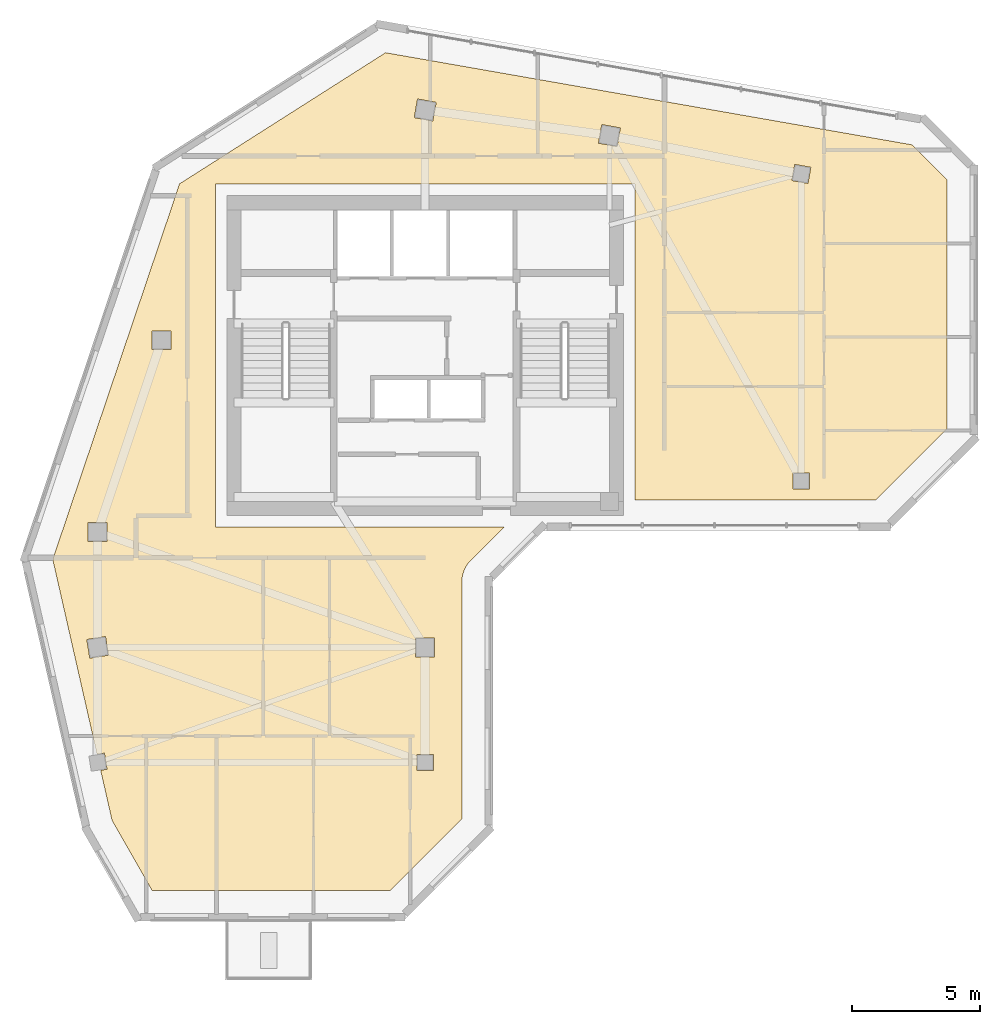
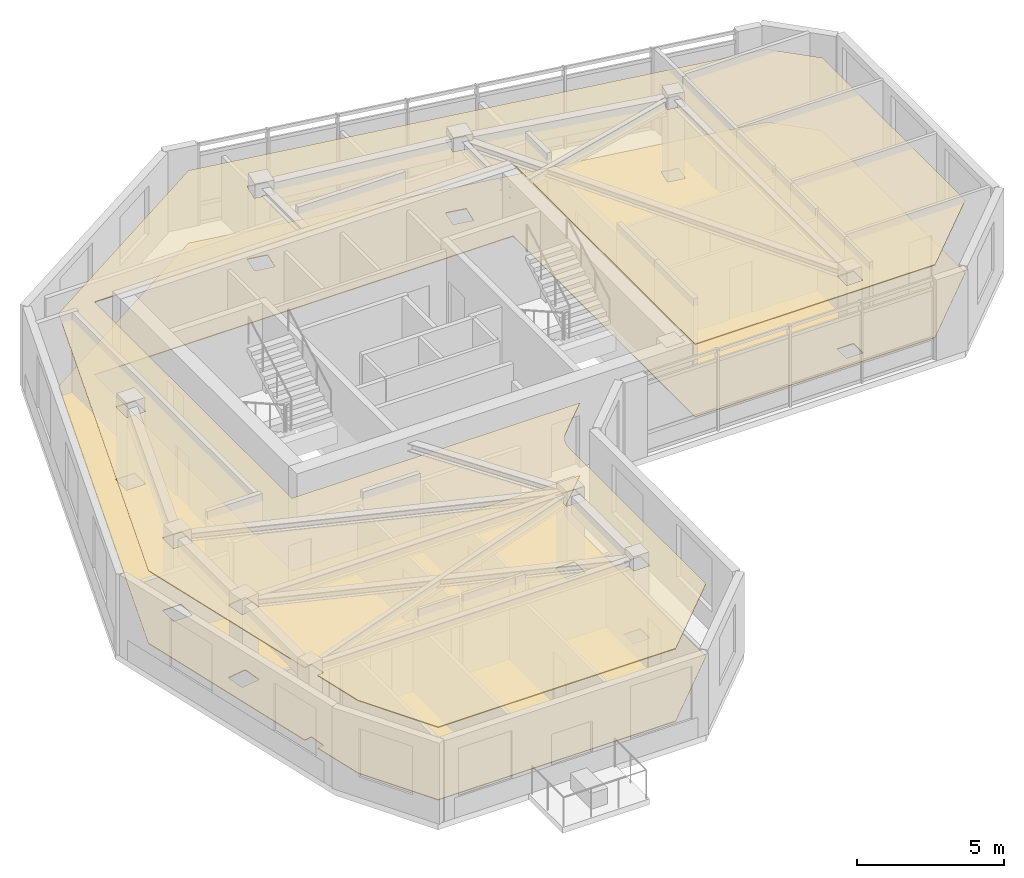
# One storey, part 9 of 10: 2 coverings.
"""IFC4 building model written with IfcOpenShell, lengths in metres."""

from ifc_helpers import new_model, si_unit, direction, frame, origin, place, context, subcontext, project, spatial, polyline, outline, extrude, material, layer, layer_set, type_object, element, save


model = new_model("IFC4")

# Units and contexts
model_context = context("Model", 3, precision=1e-05, world=origin(), true_north=direction((0.0, 1.0)))
body_context = subcontext(model_context, "Body", "Model", "MODEL_VIEW")
ifc_project = project(units=[si_unit("LENGTHUNIT", "METRE"), si_unit("AREAUNIT", "SQUARE_METRE"), si_unit("VOLUMEUNIT", "CUBIC_METRE"), si_unit("PLANEANGLEUNIT", "RADIAN"), si_unit("MASSUNIT", "GRAM", prefix="KILO")], contexts=[model_context])

# Site, building, storey
site_placement = place(None, origin())
site = spatial("IfcSite", under=ifc_project, at=site_placement, CompositionType="ELEMENT")
building_placement = place(site_placement, origin())
building = spatial("IfcBuilding", under=site, at=building_placement, Name="Calvemar Wedge Station Tower", CompositionType="ELEMENT")
storey_placement = place(building_placement, frame((0.0, 0.0, 252.89990234375)))
storey = spatial("IfcBuildingStorey", under=building, at=storey_placement, Name="L64", CompositionType="ELEMENT", Elevation=252.89990234375)

# Coverings
ifc_material_1 = material(Name="Moisture-resistant gypsum ceiling")
ifc_layer_1 = layer(ifc_material_1, 0.0400390625)
ifc_layer_set_1 = layer_set([ifc_layer_1], Name="Moisture-resistant gypsum ceiling")
covering_type_1 = type_object("IfcCoveringType", Name="COV-CEIL-GYPSUM", PredefinedType="CEILING", material=ifc_layer_set_1)
covering_1_placement = place(storey_placement, frame((0.0, 0.0, 3.0)))
element("IfcCovering", 1, at=covering_1_placement, inside=storey, type_object=covering_type_1, Name="Storey L64 Acoustic Suspended Ceiling", PredefinedType="CEILING", context=body_context, shape_type="SweptSolid", body=[
    extrude(outline(polyline([(15.60009765625, 33.199951171875), (15.60009765625, 46.60009765625), (32.0, 46.60009765625), (32.0, 34.256103515625), (41.40283203125, 34.256103515625), (44.199951171875, 37.052978515625), (44.199951171875, 46.7587890625), (42.819580078125, 48.139404296875), (22.251708984375, 51.73779296875), (14.201416015625, 46.614990234375), (9.2451171875, 31.936279296875), (10.97607421875, 24.3203125), (11.265380859375, 24.36669921875), (11.36669921875, 23.734619140625), (11.118408203125, 23.69482421875), (11.5625, 21.740234375), (13.12841796875, 19.0), (22.434814453125, 19.0), (25.23193359375, 21.797119140625), (25.23193359375, 31.055908203125), (25.23779296875, 31.173583984375), (25.255126953125, 31.2900390625), (25.28369140625, 31.404296875), (25.3232421875, 31.51513671875), (25.373779296875, 31.62158203125), (25.43408203125, 31.72265625), (25.50439453125, 31.8173828125), (25.58349609375, 31.904541015625), (26.87890625, 33.199951171875), (15.60009765625, 33.199951171875)]), holes=[polyline([(11.3701171875, 33.3701171875), (11.3701171875, 32.6298828125), (10.6298828125, 32.6298828125), (10.6298828125, 33.3701171875), (11.3701171875, 33.3701171875)]), polyline([(13.8701171875, 40.1298828125), (13.1298828125, 40.1298828125), (13.1298828125, 40.8701171875), (13.8701171875, 40.8701171875), (13.8701171875, 40.1298828125)]), polyline([(23.370361328125, 49.201416015625), (23.50146484375, 49.9296875), (24.229736328125, 49.798583984375), (24.0986328125, 49.0703125), (23.370361328125, 49.201416015625)]), polyline([(30.701416015625, 48.9296875), (31.4296875, 48.798583984375), (31.298583984375, 48.0703125), (30.5703125, 48.201416015625), (30.701416015625, 48.9296875)]), polyline([(38.87158203125, 47.25830078125), (38.75830078125, 46.62841796875), (38.12841796875, 46.74169921875), (38.24169921875, 47.37158203125), (38.87158203125, 47.25830078125)]), polyline([(38.820068359375, 34.679931640625), (38.179931640625, 34.679931640625), (38.179931640625, 35.320068359375), (38.820068359375, 35.320068359375), (38.820068359375, 34.679931640625)]), polyline([(10.576171875, 28.806884765625), (11.306884765625, 28.923828125), (11.423828125, 28.193115234375), (10.693115234375, 28.076171875), (10.576171875, 28.806884765625)]), polyline([(24.169921875, 28.8701171875), (24.169921875, 28.1298828125), (23.429931640625, 28.1298828125), (23.429931640625, 28.8701171875), (24.169921875, 28.8701171875)]), polyline([(24.1201171875, 23.679931640625), (23.47998046875, 23.679931640625), (23.47998046875, 24.320068359375), (24.1201171875, 24.320068359375), (24.1201171875, 23.679931640625)])]), origin(), (0.0, 0.0, 1.0), 0.0400390625),
])
ifc_material_2 = material(Name="Honed coastal granite stone tile", Category="masonry")
ifc_layer_2 = layer(ifc_material_2, 0.030029296875)
ifc_layer_set_2 = layer_set([ifc_layer_2], Name="Honed coastal granite stone tile")
covering_type_2 = type_object("IfcCoveringType", Name="COV-FLR-STONE", PredefinedType="FLOORING", material=ifc_layer_set_2)
covering_2_placement = place(storey_placement, origin())
element("IfcCovering", 2, at=covering_2_placement, inside=storey, type_object=covering_type_2, Name="Storey L64 Architectural Floor Finish", PredefinedType="FLOORING", context=body_context, shape_type="SweptSolid", body=[
    extrude(outline(polyline([(15.60009765625, 33.199951171875), (15.60009765625, 46.60009765625), (32.0, 46.60009765625), (32.0, 34.256103515625), (41.40283203125, 34.256103515625), (44.199951171875, 37.052978515625), (44.199951171875, 46.7587890625), (42.819580078125, 48.139404296875), (22.251708984375, 51.73779296875), (14.201416015625, 46.614990234375), (9.2451171875, 31.936279296875), (10.97607421875, 24.3203125), (11.265380859375, 24.36669921875), (11.36669921875, 23.734619140625), (11.118408203125, 23.69482421875), (11.5625, 21.740234375), (13.12841796875, 19.0), (22.434814453125, 19.0), (25.23193359375, 21.797119140625), (25.23193359375, 31.055908203125), (25.23779296875, 31.173583984375), (25.255126953125, 31.2900390625), (25.28369140625, 31.404296875), (25.3232421875, 31.51513671875), (25.373779296875, 31.62158203125), (25.43408203125, 31.72265625), (25.50439453125, 31.8173828125), (25.58349609375, 31.904541015625), (26.87890625, 33.199951171875), (15.60009765625, 33.199951171875)]), holes=[polyline([(11.3701171875, 33.3701171875), (11.3701171875, 32.6298828125), (10.6298828125, 32.6298828125), (10.6298828125, 33.3701171875), (11.3701171875, 33.3701171875)]), polyline([(13.8701171875, 40.1298828125), (13.1298828125, 40.1298828125), (13.1298828125, 40.8701171875), (13.8701171875, 40.8701171875), (13.8701171875, 40.1298828125)]), polyline([(23.370361328125, 49.201416015625), (23.50146484375, 49.9296875), (24.229736328125, 49.798583984375), (24.0986328125, 49.0703125), (23.370361328125, 49.201416015625)]), polyline([(30.701416015625, 48.9296875), (31.4296875, 48.798583984375), (31.298583984375, 48.0703125), (30.5703125, 48.201416015625), (30.701416015625, 48.9296875)]), polyline([(38.87158203125, 47.25830078125), (38.75830078125, 46.62841796875), (38.12841796875, 46.74169921875), (38.24169921875, 47.37158203125), (38.87158203125, 47.25830078125)]), polyline([(38.820068359375, 34.679931640625), (38.179931640625, 34.679931640625), (38.179931640625, 35.320068359375), (38.820068359375, 35.320068359375), (38.820068359375, 34.679931640625)]), polyline([(10.576171875, 28.806884765625), (11.306884765625, 28.923828125), (11.423828125, 28.193115234375), (10.693115234375, 28.076171875), (10.576171875, 28.806884765625)]), polyline([(24.169921875, 28.8701171875), (24.169921875, 28.1298828125), (23.429931640625, 28.1298828125), (23.429931640625, 28.8701171875), (24.169921875, 28.8701171875)]), polyline([(24.1201171875, 23.679931640625), (23.47998046875, 23.679931640625), (23.47998046875, 24.320068359375), (24.1201171875, 24.320068359375), (24.1201171875, 23.679931640625)])]), origin(), (0.0, 0.0, 1.0), 0.030029296875),
])

save(model, "model.ifc")
